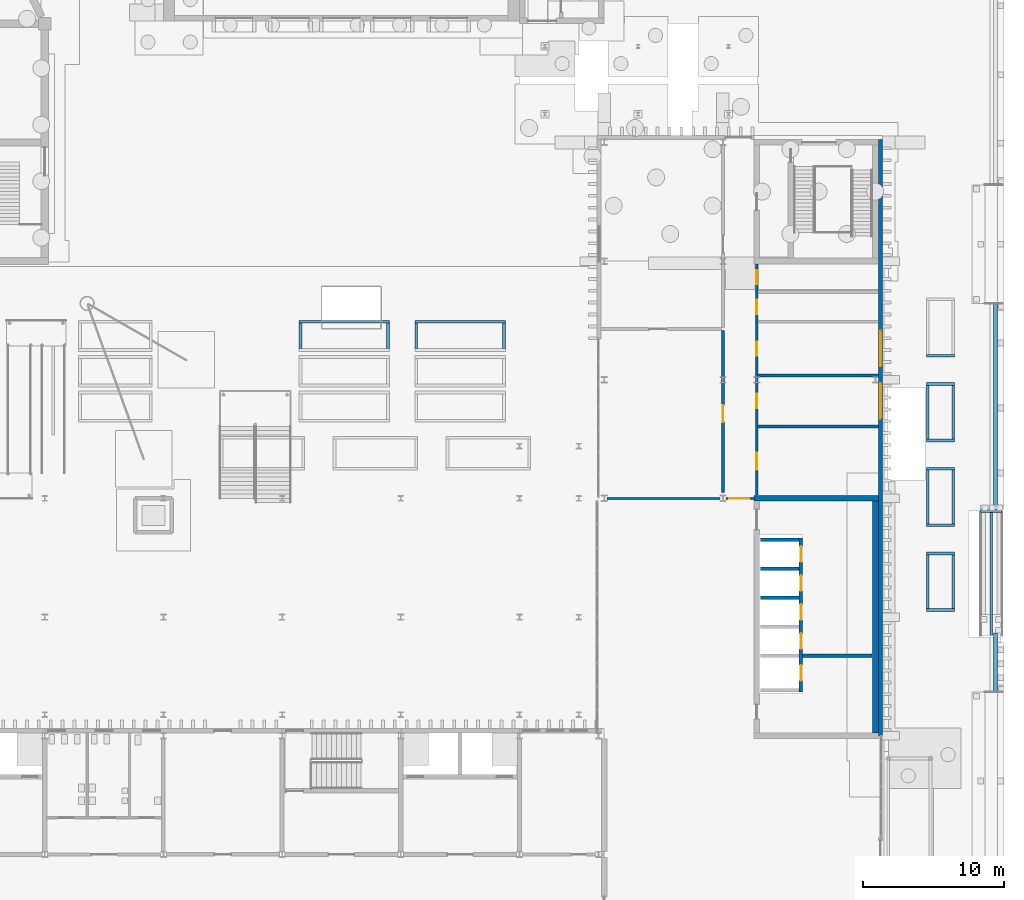
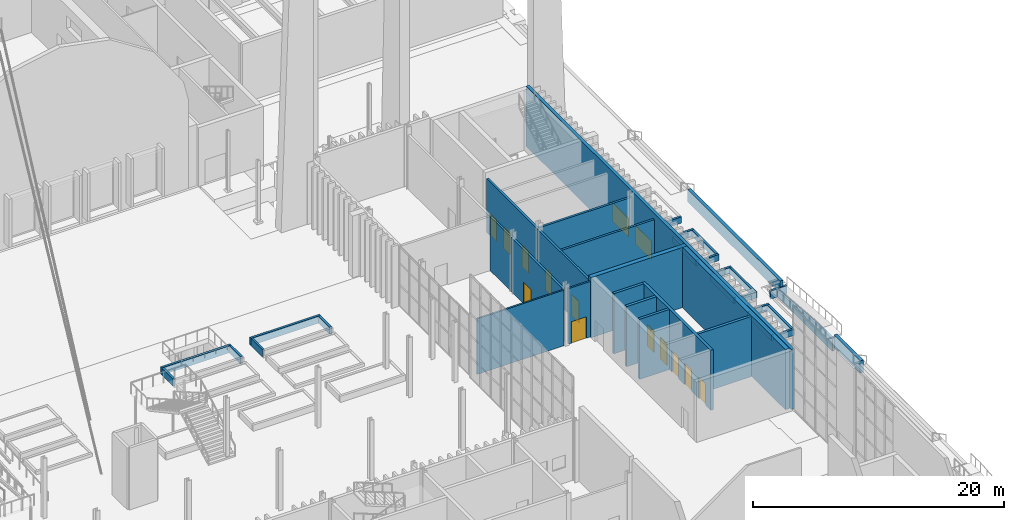
# One storey, part 72 of 108: 37 walls, 12 doors, 2 windows, 14 openings.
"""IFC4 building model written with IfcOpenShell, lengths in metres."""

from ifc_helpers import new_model, si_unit, direction, frame, frame_2d, origin, place, context, subcontext, project, spatial, polyline, rectangle, outline, extrude, material, layer, layer_set, type_object, element, fill, save


model = new_model("IFC4")

# Units and contexts
model_context = context("Model", 3, precision=1e-05, world=origin(), true_north=direction((0.0, 1.0)))
body_context = subcontext(model_context, "Body", "Model", "MODEL_VIEW")
ifc_project = project(units=[si_unit("LENGTHUNIT", "METRE"), si_unit("AREAUNIT", "SQUARE_METRE"), si_unit("VOLUMEUNIT", "CUBIC_METRE"), si_unit("PLANEANGLEUNIT", "RADIAN"), si_unit("MASSUNIT", "GRAM", prefix="KILO")], contexts=[model_context])

# Site, building, storey
site_placement = place(None, origin())
site = spatial("IfcSite", under=ifc_project, at=site_placement, CompositionType="ELEMENT")
building_placement = place(site_placement, origin())
building = spatial("IfcBuilding", under=site, at=building_placement, Name="Cresset Court Congress Hotel", CompositionType="ELEMENT")
storey_placement = place(building_placement, origin())
storey = spatial("IfcBuildingStorey", under=building, at=storey_placement, Name="L00", CompositionType="ELEMENT", Elevation=0.0)

# Walls
ifc_material_1 = material(Name="Concrete block wall", Category="concrete")
ifc_layer_1 = layer(ifc_material_1, 0.199951171875)
ifc_layer_set_1 = layer_set([ifc_layer_1], Name="Back-of-house wall 200")
wall_type_1 = type_object("IfcWallType", Name="Back-of-house wall 200", PredefinedType="PARTITIONING", material=ifc_layer_set_1)
for number, where, z_axis, x_axis, name in (
    (1, (168.10009765625, 47.10009765625, 0.0), (0.0, 0.0, 1.0), (1.0, 0.0, 0.0), "A.wl.L00.001"),
    (2, (168.10009765625, 50.699951171875, 0.0), (0.0, 0.0, 1.0), (1.0, 0.0, 0.0), "A.wl.L00.002"),
):
    element("IfcWall", number, at=place(storey_placement, frame(where, z_axis=z_axis, x_axis=x_axis)), inside=storey, type_object=wall_type_1, Name=name, PredefinedType="PARTITIONING", context=body_context, shape_type="SweptSolid", body=[
        extrude(rectangle(XDim=8.52001953125, YDim=0.199951171875, at=frame_2d((4.260009765625, 0.0))), origin(), (0.0, 0.0, 1.0), 5.25),
    ])

# Wall, opening, door
ifc_material_2 = material(Name="Gypsum board partition")
ifc_layer_2 = layer(ifc_material_2, 0.199951171875)
ifc_layer_set_2 = layer_set([ifc_layer_2], Name="Corridor wall 200")
wall_type_2 = type_object("IfcWallType", Name="Corridor wall 200", PredefinedType="PARTITIONING", material=ifc_layer_set_2)
wall_1_placement = place(storey_placement, frame((165.60009765625, 42.4140625, 0.0), z_axis=(0.0, 0.0, 1.0), x_axis=(0.0, 1.0, 0.0)))
wall_1 = element("IfcWall", 3, at=wall_1_placement, inside=storey, type_object=wall_type_2, Name="A.wl.L00.012", PredefinedType="PARTITIONING", context=body_context, shape_type="SweptSolid", body=[
    extrude(rectangle(XDim=11.48583984375, YDim=0.199951171875, at=frame_2d((5.742919921875, 0.0))), origin(), (0.0, 0.0, 1.0), 5.25),
])
opening_1_placement = place(wall_1_placement, frame((4.986083984375, 0.0, 0.0)))
opening_1 = element("IfcOpeningElement", 4, at=opening_1_placement, cuts=wall_1, Name="Opening DA-00-09", PredefinedType="OPENING", context=body_context, shape_type="SweptSolid", body=[
    extrude(rectangle(XDim=1.199951171875, YDim=2.10009765625, at=frame_2d((0.60009765625, 1.050048828125))), frame((0.0, 0.10986328125, 0.0), z_axis=(0.0, -1.0, 0.0), x_axis=(1.0, 0.0, 0.0)), (0.0, 0.0, 1.0), 0.219970703125),
])
ifc_material_3 = material(Name="timber", Category="wood")
door_type_1 = type_object("IfcDoorType", Name="Interior door 1200x2100", OperationType="SINGLE_SWING_LEFT", PredefinedType="DOOR", material=ifc_material_3)
door_1_placement = place(opening_1_placement, origin())
door_1 = element("IfcDoor", 5, at=door_1_placement, inside=storey, type_object=door_type_1, Name="Door DA-00-09", OperationType="SINGLE_SWING_LEFT", OverallHeight=2.10009765625, OverallWidth=1.199951171875, PredefinedType="DOOR", context=body_context, shape_type="SweptSolid", body=[
    extrude(rectangle(XDim=1.199951171875, YDim=2.10009765625, at=frame_2d((0.60009765625, 1.050048828125))), frame((0.0, 0.02490234375, 0.0), z_axis=(0.0, -1.0, 0.0), x_axis=(1.0, 0.0, 0.0)), (0.0, 0.0, 1.0), 0.050048828125),
])
fill(opening_1, door_1)

# Wall, openings, doors
wall_2_placement = place(storey_placement, frame((168.0, 42.25, 0.0), z_axis=(0.0, 0.0, 1.0), x_axis=(0.0, 1.0, 0.0)))
wall_2 = element("IfcWall", 6, at=wall_2_placement, inside=storey, type_object=wall_type_2, Name="A.wl.L00.014", PredefinedType="PARTITIONING", context=body_context, shape_type="SweptSolid", body=[
    extrude(rectangle(XDim=16.35009765625, YDim=0.199951171875, at=frame_2d((8.175048828125, 0.0))), origin(), (0.0, 0.0, 1.0), 5.25),
])
opening_2_placement = place(wall_2_placement, frame((1.77490234375, 0.0, 0.0)))
opening_2 = element("IfcOpeningElement", 7, at=opening_2_placement, cuts=wall_2, Name="Opening DA-00-01", PredefinedType="OPENING", context=body_context, shape_type="SweptSolid", body=[
    extrude(rectangle(XDim=1.199951171875, YDim=2.10009765625, at=frame_2d((0.60009765625, 1.050048828125))), frame((0.0, 0.10986328125, 0.0), z_axis=(0.0, -1.0, 0.0), x_axis=(1.0, 0.0, 0.0)), (0.0, 0.0, 1.0), 0.219970703125),
])
opening_3_placement = place(wall_2_placement, frame((6.14990234375, 0.0, 0.0)))
opening_3 = element("IfcOpeningElement", 8, at=opening_3_placement, cuts=wall_2, Name="Opening DA-00-02", PredefinedType="OPENING", context=body_context, shape_type="SweptSolid", body=[
    extrude(rectangle(XDim=1.0, YDim=2.10009765625, at=frame_2d((0.5, 1.050048828125))), frame((0.0, 0.10986328125, 0.0), z_axis=(0.0, -1.0, 0.0), x_axis=(1.0, 0.0, 0.0)), (0.0, 0.0, 1.0), 0.219970703125),
])
opening_4_placement = place(wall_2_placement, frame((9.85009765625, 0.0, 0.0)))
opening_4 = element("IfcOpeningElement", 9, at=opening_4_placement, cuts=wall_2, Name="Opening DA-00-03", PredefinedType="OPENING", context=body_context, shape_type="SweptSolid", body=[
    extrude(rectangle(XDim=1.0, YDim=2.10009765625, at=frame_2d((0.5, 1.050048828125))), frame((0.0, 0.10986328125, 0.0), z_axis=(0.0, -1.0, 0.0), x_axis=(1.0, 0.0, 0.0)), (0.0, 0.0, 1.0), 0.219970703125),
])
opening_5_placement = place(wall_2_placement, frame((12.800048828125, 0.0, 0.0)))
opening_5 = element("IfcOpeningElement", 10, at=opening_5_placement, cuts=wall_2, Name="Opening DA-00-04", PredefinedType="OPENING", context=body_context, shape_type="SweptSolid", body=[
    extrude(rectangle(XDim=1.0, YDim=2.10009765625, at=frame_2d((0.5, 1.050048828125))), frame((0.0, 0.10986328125, 0.0), z_axis=(0.0, -1.0, 0.0), x_axis=(1.0, 0.0, 0.0)), (0.0, 0.0, 1.0), 0.219970703125),
])
opening_6_placement = place(wall_2_placement, frame((14.89990234375, 0.0, 0.0)))
opening_6 = element("IfcOpeningElement", 11, at=opening_6_placement, cuts=wall_2, Name="Opening DA-00-05", PredefinedType="OPENING", context=body_context, shape_type="SweptSolid", body=[
    extrude(rectangle(XDim=1.0, YDim=2.10009765625, at=frame_2d((0.5, 1.050048828125))), frame((0.0, 0.10986328125, 0.0), z_axis=(0.0, -1.0, 0.0), x_axis=(1.0, 0.0, 0.0)), (0.0, 0.0, 1.0), 0.219970703125),
])
ifc_material_4 = material(Name="steel", Category="steel")
door_type_2 = type_object("IfcDoorType", Name="Back-of-house door 1000x2100 FD90", OperationType="SINGLE_SWING_LEFT", PredefinedType="DOOR", material=ifc_material_4)
door_2_placement = place(opening_3_placement, origin())
door_2 = element("IfcDoor", 12, at=door_2_placement, inside=storey, type_object=door_type_2, Name="Door DA-00-02", OperationType="SINGLE_SWING_LEFT", OverallHeight=2.10009765625, OverallWidth=1.0, PredefinedType="DOOR", context=body_context, shape_type="SweptSolid", body=[
    extrude(rectangle(XDim=1.0, YDim=2.10009765625, at=frame_2d((0.5, 1.050048828125))), frame((0.0, 0.02490234375, 0.0), z_axis=(0.0, -1.0, 0.0), x_axis=(1.0, 0.0, 0.0)), (0.0, 0.0, 1.0), 0.050048828125),
])
fill(opening_3, door_2)
door_3_placement = place(opening_4_placement, origin())
door_3 = element("IfcDoor", 13, at=door_3_placement, inside=storey, type_object=door_type_2, Name="Door DA-00-03", OperationType="SINGLE_SWING_RIGHT", OverallHeight=2.10009765625, OverallWidth=1.0, PredefinedType="DOOR", context=body_context, shape_type="SweptSolid", body=[
    extrude(rectangle(XDim=1.0, YDim=2.10009765625, at=frame_2d((0.5, 1.050048828125))), frame((0.0, 0.02490234375, 0.0), z_axis=(0.0, -1.0, 0.0), x_axis=(1.0, 0.0, 0.0)), (0.0, 0.0, 1.0), 0.050048828125),
])
fill(opening_4, door_3)
door_4_placement = place(opening_5_placement, origin())
door_4 = element("IfcDoor", 14, at=door_4_placement, inside=storey, type_object=door_type_2, Name="Door DA-00-04", OperationType="SINGLE_SWING_RIGHT", OverallHeight=2.10009765625, OverallWidth=1.0, PredefinedType="DOOR", context=body_context, shape_type="SweptSolid", body=[
    extrude(rectangle(XDim=1.0, YDim=2.10009765625, at=frame_2d((0.5, 1.050048828125))), frame((0.0, 0.02490234375, 0.0), z_axis=(0.0, -1.0, 0.0), x_axis=(1.0, 0.0, 0.0)), (0.0, 0.0, 1.0), 0.050048828125),
])
fill(opening_5, door_4)
door_5_placement = place(opening_6_placement, origin())
door_5 = element("IfcDoor", 15, at=door_5_placement, inside=storey, type_object=door_type_2, Name="Door DA-00-05", OperationType="SINGLE_SWING_RIGHT", OverallHeight=2.10009765625, OverallWidth=1.0, PredefinedType="DOOR", context=body_context, shape_type="SweptSolid", body=[
    extrude(rectangle(XDim=1.0, YDim=2.10009765625, at=frame_2d((0.5, 1.050048828125))), frame((0.0, 0.02490234375, 0.0), z_axis=(0.0, -1.0, 0.0), x_axis=(1.0, 0.0, 0.0)), (0.0, 0.0, 1.0), 0.050048828125),
])
fill(opening_6, door_5)
ifc_material_5 = material(Name="steel", Category="steel")
door_type_3 = type_object("IfcDoorType", Name="Back-of-house door 1200x2100 FD90", OperationType="SINGLE_SWING_LEFT", PredefinedType="DOOR", material=ifc_material_5)
door_6_placement = place(opening_2_placement, origin())
door_6 = element("IfcDoor", 16, at=door_6_placement, inside=storey, type_object=door_type_3, Name="Door DA-00-01", OperationType="SINGLE_SWING_RIGHT", OverallHeight=2.10009765625, OverallWidth=1.199951171875, PredefinedType="DOOR", context=body_context, shape_type="SweptSolid", body=[
    extrude(rectangle(XDim=1.199951171875, YDim=2.10009765625, at=frame_2d((0.60009765625, 1.050048828125))), frame((0.0, 0.02490234375, 0.0), z_axis=(0.0, -1.0, 0.0), x_axis=(1.0, 0.0, 0.0)), (0.0, 0.0, 1.0), 0.050048828125),
])
fill(opening_2, door_6)

# Wall, openings, windows
ifc_material_6 = material(Name="Precast concrete C50", Category="concrete")
ifc_layer_3 = layer(ifc_material_6, 0.280029296875)
ifc_layer_set_3 = layer_set([ifc_layer_3], Name="External wall 280")
wall_type_3 = type_object("IfcWallType", Name="External wall 280", PredefinedType="SOLIDWALL", material=ifc_layer_set_3)
wall_3_placement = place(storey_placement, frame((176.760009765625, 25.199951171875, 0.0), z_axis=(0.0, 0.0, 1.0), x_axis=(0.0, 1.0, 0.0)))
wall_3 = element("IfcWall", 17, at=wall_3_placement, inside=storey, type_object=wall_type_3, Name="A.ew.L00.E.3", PredefinedType="SOLIDWALL", context=body_context, shape_type="SweptSolid", body=[
    extrude(rectangle(XDim=42.219970703125, YDim=0.280029296875, at=frame_2d((21.10986328125, 0.0))), origin(), (0.0, 0.0, 1.0), 5.85009765625),
])
opening_7_placement = place(wall_3_placement, frame((22.43994140625, 0.0, 0.89990234375)))
opening_7 = element("IfcOpeningElement", 18, at=opening_7_placement, cuts=wall_3, Name="Opening NA-00-02", PredefinedType="OPENING", context=body_context, shape_type="SweptSolid", body=[
    extrude(rectangle(XDim=2.52001953125, YDim=1.800048828125, at=frame_2d((1.260009765625, 0.89990234375))), frame((0.0, 0.14990234375, 0.0), z_axis=(0.0, -1.0, 0.0), x_axis=(1.0, 0.0, 0.0)), (0.0, 0.0, 1.0), 0.300048828125),
])
opening_8_placement = place(wall_3_placement, frame((26.139892578125, 0.0, 0.89990234375)))
opening_8 = element("IfcOpeningElement", 19, at=opening_8_placement, cuts=wall_3, Name="Opening NA-00-03", PredefinedType="OPENING", context=body_context, shape_type="SweptSolid", body=[
    extrude(rectangle(XDim=2.52001953125, YDim=1.800048828125, at=frame_2d((1.260009765625, 0.89990234375))), frame((0.0, 0.14990234375, 0.0), z_axis=(0.0, -1.0, 0.0), x_axis=(1.0, 0.0, 0.0)), (0.0, 0.0, 1.0), 0.300048828125),
])
ifc_material_7 = material(Name="Aluminium and glass", Category="aluminium")
window_type = type_object("IfcWindowType", Name="Window 2520x1800", PartitioningType="SINGLE_PANEL", PredefinedType="WINDOW", material=ifc_material_7)
window_1_placement = place(opening_7_placement, origin())
window_1 = element("IfcWindow", 20, at=window_1_placement, inside=storey, type_object=window_type, Name="Window NA-00-02", OverallHeight=1.800048828125, OverallWidth=2.52001953125, PartitioningType="SINGLE_PANEL", PredefinedType="WINDOW", context=body_context, shape_type="SweptSolid", body=[
    extrude(rectangle(XDim=2.52001953125, YDim=1.800048828125, at=frame_2d((1.260009765625, 0.89990234375))), frame((0.0, 0.030029296875, 0.0), z_axis=(0.0, -1.0, 0.0), x_axis=(1.0, 0.0, 0.0)), (0.0, 0.0, 1.0), 0.06005859375),
])
fill(opening_7, window_1)
window_2_placement = place(opening_8_placement, origin())
window_2 = element("IfcWindow", 21, at=window_2_placement, inside=storey, type_object=window_type, Name="Window NA-00-03", OverallHeight=1.800048828125, OverallWidth=2.52001953125, PartitioningType="SINGLE_PANEL", PredefinedType="WINDOW", context=body_context, shape_type="SweptSolid", body=[
    extrude(rectangle(XDim=2.52001953125, YDim=1.800048828125, at=frame_2d((1.260009765625, 0.89990234375))), frame((0.0, 0.030029296875, 0.0), z_axis=(0.0, -1.0, 0.0), x_axis=(1.0, 0.0, 0.0)), (0.0, 0.0, 1.0), 0.06005859375),
])
fill(opening_8, window_2)

# Wall
ifc_material_8 = material(Name="Gypsum board partition")
ifc_layer_4 = layer(ifc_material_8, 0.14990234375)
ifc_layer_set_4 = layer_set([ifc_layer_4], Name="Guest-room partition 150")
wall_type_4 = type_object("IfcWallType", Name="Guest-room partition 150", PredefinedType="PARTITIONING", material=ifc_layer_set_4)
wall_4_placement = place(storey_placement, frame((157.403564453125, 42.0, 0.0), z_axis=(0.0, 0.0, 1.0), x_axis=(1.0, 0.0, 0.0)))
element("IfcWall", 22, at=wall_4_placement, inside=storey, type_object=wall_type_4, Name="A.wl.L00.009", PredefinedType="PARTITIONING", context=body_context, shape_type="SweptSolid", body=[
    extrude(rectangle(XDim=7.992919921875, YDim=0.14990234375, at=frame_2d((3.99658203125, 0.0))), origin(), (0.0, 0.0, 1.0), 5.404052734375),
])

# Wall, opening, door
wall_5_placement = place(storey_placement, frame((165.803466796875, 42.0, 0.0), z_axis=(0.0, 0.0, 1.0), x_axis=(1.0, 0.0, 0.0)))
wall_5 = element("IfcWall", 23, at=wall_5_placement, inside=storey, type_object=wall_type_4, Name="A.wl.L00.010", PredefinedType="PARTITIONING", context=body_context, shape_type="SweptSolid", body=[
    extrude(rectangle(XDim=1.99658203125, YDim=0.14990234375, at=frame_2d((0.998291015625, 0.0))), origin(), (0.0, 0.0, 1.0), 5.404052734375),
])
opening_9_placement = place(wall_5_placement, frame((0.24658203125, 0.0, 0.0)))
opening_9 = element("IfcOpeningElement", 24, at=opening_9_placement, cuts=wall_5, Name="Opening DA-00-07", PredefinedType="OPENING", context=body_context, shape_type="SweptSolid", body=[
    extrude(rectangle(XDim=1.39990234375, YDim=2.10009765625, at=frame_2d((0.699951171875, 1.050048828125))), frame((0.0, 0.0849609375, 0.0), z_axis=(0.0, -1.0, 0.0), x_axis=(1.0, 0.0, 0.0)), (0.0, 0.0, 1.0), 0.169921875),
])
ifc_material_9 = material(Name="steel", Category="steel")
door_type_4 = type_object("IfcDoorType", Name="Lobby door 1400x2100 FD90", OperationType="DOUBLE_DOOR_DOUBLE_SWING", PredefinedType="DOOR", material=ifc_material_9)
door_7_placement = place(opening_9_placement, origin())
door_7 = element("IfcDoor", 25, at=door_7_placement, inside=storey, type_object=door_type_4, Name="Door DA-00-07", OperationType="DOUBLE_DOOR_DOUBLE_SWING", OverallHeight=2.10009765625, OverallWidth=1.39990234375, PredefinedType="DOOR", context=body_context, shape_type="SweptSolid", body=[
    extrude(rectangle(XDim=1.39990234375, YDim=2.10009765625, at=frame_2d((0.699951171875, 1.050048828125))), frame((0.0, 0.02490234375, 0.0), z_axis=(0.0, -1.0, 0.0), x_axis=(1.0, 0.0, 0.0)), (0.0, 0.0, 1.0), 0.050048828125),
])
fill(opening_9, door_7)

# Walls
ifc_material_10 = material(Name="Concrete C50", Category="concrete")
ifc_layer_5 = layer(ifc_material_10, 0.39990234375)
ifc_layer_set_5 = layer_set([ifc_layer_5], Name="Lift core wall 400")
wall_type_5 = type_object("IfcWallType", Name="Lift core wall 400", PredefinedType="SOLIDWALL", material=ifc_layer_set_5)
wall_6_placement = place(storey_placement, frame((167.800048828125, 42.0, 0.0), z_axis=(0.0, 0.0, 1.0), x_axis=(1.0, 0.0, 0.0)))
element("IfcWall", 26, at=wall_6_placement, inside=storey, type_object=wall_type_5, Name="A.cw.LC-A.L00.N", PredefinedType="SOLIDWALL", context=body_context, shape_type="SweptSolid", body=[
    extrude(rectangle(XDim=8.800048828125, YDim=0.39990234375, at=frame_2d((4.39990234375, 0.0))), origin(), (0.0, 0.0, 1.0), 5.85009765625),
])
wall_7_placement = place(storey_placement, frame((176.39990234375, 25.39990234375, 0.0), z_axis=(0.0, 0.0, 1.0), x_axis=(0.0, 1.0, 0.0)))
element("IfcWall", 27, at=wall_7_placement, inside=storey, type_object=wall_type_5, Name="A.cw.LC-A.L00.E", PredefinedType="SOLIDWALL", context=body_context, shape_type="SweptSolid", body=[
    extrude(rectangle(XDim=16.400146484375, YDim=0.39990234375, at=frame_2d((8.2001953125, 0.0))), origin(), (0.0, 0.0, 1.0), 5.85009765625),
])

# Wall, openings, doors
ifc_material_11 = material(Name="Concrete C50", Category="concrete")
ifc_layer_6 = layer(ifc_material_11, 0.25)
ifc_layer_set_6 = layer_set([ifc_layer_6], Name="Lift shaft wall 250")
wall_type_6 = type_object("IfcWallType", Name="Lift shaft wall 250", PredefinedType="SOLIDWALL", material=ifc_layer_set_6)
wall_8_placement = place(storey_placement, frame((171.125, 28.300048828125, 0.0), z_axis=(0.0, 0.0, 1.0), x_axis=(0.0, 1.0, 0.0)))
wall_8 = element("IfcWall", 28, at=wall_8_placement, inside=storey, type_object=wall_type_6, Name="A.wl.L00.017", PredefinedType="SOLIDWALL", context=body_context, shape_type="SweptSolid", body=[
    extrude(rectangle(XDim=10.89990234375, YDim=0.25, at=frame_2d((5.449951171875, 0.0))), origin(), (0.0, 0.0, 1.0), 5.85009765625),
])
opening_10_placement = place(wall_8_placement, frame((0.800048828125, 0.0, 0.0)))
opening_10 = element("IfcOpeningElement", 29, at=opening_10_placement, cuts=wall_8, Name="Opening LD-A1-00", PredefinedType="OPENING", context=body_context, shape_type="SweptSolid", body=[
    extrude(rectangle(XDim=1.10009765625, YDim=2.10009765625, at=frame_2d((0.550048828125, 1.050048828125))), frame((0.0, 0.135009765625, 0.0), z_axis=(0.0, -1.0, 0.0), x_axis=(1.0, 0.0, 0.0)), (0.0, 0.0, 1.0), 0.27001953125),
])
opening_11_placement = place(wall_8_placement, frame((3.050048828125, 0.0, 0.0)))
opening_11 = element("IfcOpeningElement", 30, at=opening_11_placement, cuts=wall_8, Name="Opening LD-A2-00", PredefinedType="OPENING", context=body_context, shape_type="SweptSolid", body=[
    extrude(rectangle(XDim=1.10009765625, YDim=2.10009765625, at=frame_2d((0.550048828125, 1.050048828125))), frame((0.0, 0.135009765625, 0.0), z_axis=(0.0, -1.0, 0.0), x_axis=(1.0, 0.0, 0.0)), (0.0, 0.0, 1.0), 0.27001953125),
])
opening_12_placement = place(wall_8_placement, frame((5.10009765625, 0.0, 0.0)))
opening_12 = element("IfcOpeningElement", 31, at=opening_12_placement, cuts=wall_8, Name="Opening LD-A3-00", PredefinedType="OPENING", context=body_context, shape_type="SweptSolid", body=[
    extrude(rectangle(XDim=1.10009765625, YDim=2.10009765625, at=frame_2d((0.550048828125, 1.050048828125))), frame((0.0, 0.135009765625, 0.0), z_axis=(0.0, -1.0, 0.0), x_axis=(1.0, 0.0, 0.0)), (0.0, 0.0, 1.0), 0.27001953125),
])
opening_13_placement = place(wall_8_placement, frame((7.14990234375, 0.0, 0.0)))
opening_13 = element("IfcOpeningElement", 32, at=opening_13_placement, cuts=wall_8, Name="Opening LD-A4-00", PredefinedType="OPENING", context=body_context, shape_type="SweptSolid", body=[
    extrude(rectangle(XDim=1.10009765625, YDim=2.10009765625, at=frame_2d((0.550048828125, 1.050048828125))), frame((0.0, 0.135009765625, 0.0), z_axis=(0.0, -1.0, 0.0), x_axis=(1.0, 0.0, 0.0)), (0.0, 0.0, 1.0), 0.27001953125),
])
opening_14_placement = place(wall_8_placement, frame((9.199951171875, 0.0, 0.0)))
opening_14 = element("IfcOpeningElement", 33, at=opening_14_placement, cuts=wall_8, Name="Opening LD-A5-00", PredefinedType="OPENING", context=body_context, shape_type="SweptSolid", body=[
    extrude(rectangle(XDim=1.10009765625, YDim=2.10009765625, at=frame_2d((0.550048828125, 1.050048828125))), frame((0.0, 0.135009765625, 0.0), z_axis=(0.0, -1.0, 0.0), x_axis=(1.0, 0.0, 0.0)), (0.0, 0.0, 1.0), 0.27001953125),
])
ifc_material_12 = material(Name="stainless steel", Category="steel")
door_type_5 = type_object("IfcDoorType", Name="Lift landing door 1100x2100 E 60", OperationType="SLIDING_TO_LEFT", PredefinedType="DOOR", material=ifc_material_12)
door_8_placement = place(opening_10_placement, origin())
door_8 = element("IfcDoor", 34, at=door_8_placement, inside=storey, type_object=door_type_5, Name="Lift landing door LD-A1-00", OperationType="SLIDING_TO_LEFT", OverallHeight=2.10009765625, OverallWidth=1.10009765625, PredefinedType="DOOR", context=body_context, shape_type="SweptSolid", body=[
    extrude(rectangle(XDim=1.10009765625, YDim=2.10009765625, at=frame_2d((0.550048828125, 1.050048828125))), frame((0.0, 0.02490234375, 0.0), z_axis=(0.0, -1.0, 0.0), x_axis=(1.0, 0.0, 0.0)), (0.0, 0.0, 1.0), 0.050048828125),
])
fill(opening_10, door_8)
door_9_placement = place(opening_11_placement, origin())
door_9 = element("IfcDoor", 35, at=door_9_placement, inside=storey, type_object=door_type_5, Name="Lift landing door LD-A2-00", OperationType="SLIDING_TO_LEFT", OverallHeight=2.10009765625, OverallWidth=1.10009765625, PredefinedType="DOOR", context=body_context, shape_type="SweptSolid", body=[
    extrude(rectangle(XDim=1.10009765625, YDim=2.10009765625, at=frame_2d((0.550048828125, 1.050048828125))), frame((0.0, 0.02490234375, 0.0), z_axis=(0.0, -1.0, 0.0), x_axis=(1.0, 0.0, 0.0)), (0.0, 0.0, 1.0), 0.050048828125),
])
fill(opening_11, door_9)
door_10_placement = place(opening_12_placement, origin())
door_10 = element("IfcDoor", 36, at=door_10_placement, inside=storey, type_object=door_type_5, Name="Lift landing door LD-A3-00", OperationType="SLIDING_TO_LEFT", OverallHeight=2.10009765625, OverallWidth=1.10009765625, PredefinedType="DOOR", context=body_context, shape_type="SweptSolid", body=[
    extrude(rectangle(XDim=1.10009765625, YDim=2.10009765625, at=frame_2d((0.550048828125, 1.050048828125))), frame((0.0, 0.02490234375, 0.0), z_axis=(0.0, -1.0, 0.0), x_axis=(1.0, 0.0, 0.0)), (0.0, 0.0, 1.0), 0.050048828125),
])
fill(opening_12, door_10)
door_11_placement = place(opening_13_placement, origin())
door_11 = element("IfcDoor", 37, at=door_11_placement, inside=storey, type_object=door_type_5, Name="Lift landing door LD-A4-00", OperationType="SLIDING_TO_LEFT", OverallHeight=2.10009765625, OverallWidth=1.10009765625, PredefinedType="DOOR", context=body_context, shape_type="SweptSolid", body=[
    extrude(rectangle(XDim=1.10009765625, YDim=2.10009765625, at=frame_2d((0.550048828125, 1.050048828125))), frame((0.0, 0.02490234375, 0.0), z_axis=(0.0, -1.0, 0.0), x_axis=(1.0, 0.0, 0.0)), (0.0, 0.0, 1.0), 0.050048828125),
])
fill(opening_13, door_11)
door_12_placement = place(opening_14_placement, origin())
door_12 = element("IfcDoor", 38, at=door_12_placement, inside=storey, type_object=door_type_5, Name="Lift landing door LD-A5-00", OperationType="SLIDING_TO_LEFT", OverallHeight=2.10009765625, OverallWidth=1.10009765625, PredefinedType="DOOR", context=body_context, shape_type="SweptSolid", body=[
    extrude(rectangle(XDim=1.10009765625, YDim=2.10009765625, at=frame_2d((0.550048828125, 1.050048828125))), frame((0.0, 0.02490234375, 0.0), z_axis=(0.0, -1.0, 0.0), x_axis=(1.0, 0.0, 0.0)), (0.0, 0.0, 1.0), 0.050048828125),
])
fill(opening_14, door_12)

# Walls
for number, where, z_axis, x_axis, name in (
    (39, (168.25, 34.97509765625, 0.0), (0.0, 0.0, 1.0), (1.0, 0.0, 0.0), "A.wl.L00.021"),
    (40, (168.25, 37.02490234375, 0.0), (0.0, 0.0, 1.0), (1.0, 0.0, 0.0), "A.wl.L00.022"),
    (41, (168.25, 39.074951171875, 0.0), (0.0, 0.0, 1.0), (1.0, 0.0, 0.0), "A.wl.L00.023"),
):
    element("IfcWall", number, at=place(storey_placement, frame(where, z_axis=z_axis, x_axis=x_axis)), inside=storey, type_object=wall_type_6, Name=name, PredefinedType="SOLIDWALL", context=body_context, shape_type="SweptSolid", body=[
        extrude(rectangle(XDim=2.75, YDim=0.25, at=frame_2d((1.375, 0.0))), origin(), (0.0, 0.0, 1.0), 5.85009765625),
    ])
wall_9_placement = place(storey_placement, frame((171.25, 30.875, 0.0), z_axis=(0.0, 0.0, 1.0), x_axis=(1.0, 0.0, 0.0)))
element("IfcWall", 42, at=wall_9_placement, inside=storey, type_object=wall_type_6, Name="A.wl.L00.024", PredefinedType="SOLIDWALL", context=body_context, shape_type="SweptSolid", body=[
    extrude(rectangle(XDim=4.89990234375, YDim=0.25, at=frame_2d((2.449951171875, 0.0))), origin(), (0.0, 0.0, 1.0), 5.85009765625),
])
ifc_material_13 = material(Name="Concrete C35", Category="concrete")
ifc_layer_7 = layer(ifc_material_13, 0.199951171875)
ifc_layer_set_7 = layer_set([ifc_layer_7], Name="Planter wall 200")
wall_type_7 = type_object("IfcWallType", Name="Planter wall 200", PredefinedType="SOLIDWALL", material=ifc_layer_set_7)
wall_10_placement = place(storey_placement, frame((135.60009765625, 54.5, 0.0), z_axis=(0.0, 0.0, 1.0), x_axis=(1.0, 0.0, 0.0)))
element("IfcWall", 43, at=wall_10_placement, inside=storey, type_object=wall_type_7, Name="Terrace planter wall 15", PredefinedType="SOLIDWALL", context=body_context, shape_type="SweptSolid", body=[
    extrude(rectangle(XDim=6.39990234375, YDim=0.199951171875, at=frame_2d((3.199951171875, 0.0))), origin(), (0.0, 0.0, 1.0), 0.699951171875),
])
for number, where, z_axis, x_axis, name in (
    (44, (135.699951171875, 52.60009765625, 0.0), (0.0, 0.0, 1.0), (0.0, 1.0, 0.0), "Terrace planter wall 15"),
    (45, (141.89990234375, 52.60009765625, 0.0), (0.0, 0.0, 1.0), (0.0, 1.0, 0.0), "Terrace planter wall 15"),
):
    element("IfcWall", number, at=place(storey_placement, frame(where, z_axis=z_axis, x_axis=x_axis)), inside=storey, type_object=wall_type_7, Name=name, PredefinedType="SOLIDWALL", context=body_context, shape_type="SweptSolid", body=[
        extrude(rectangle(XDim=1.7998046875, YDim=0.199951171875, at=frame_2d((0.89990234375, 0.0))), origin(), (0.0, 0.0, 1.0), 0.699951171875),
    ])
wall_11_placement = place(storey_placement, frame((143.800048828125, 54.5, 0.0), z_axis=(0.0, 0.0, 1.0), x_axis=(1.0, 0.0, 0.0)))
element("IfcWall", 46, at=wall_11_placement, inside=storey, type_object=wall_type_7, Name="Terrace planter wall 18", PredefinedType="SOLIDWALL", context=body_context, shape_type="SweptSolid", body=[
    extrude(rectangle(XDim=6.39990234375, YDim=0.199951171875, at=frame_2d((3.199951171875, 0.0))), origin(), (0.0, 0.0, 1.0), 0.699951171875),
])
for number, where, z_axis, x_axis, name in (
    (47, (143.89990234375, 52.60009765625, 0.0), (0.0, 0.0, 1.0), (0.0, 1.0, 0.0), "Terrace planter wall 18"),
    (48, (150.10009765625, 52.60009765625, 0.0), (0.0, 0.0, 1.0), (0.0, 1.0, 0.0), "Terrace planter wall 18"),
):
    element("IfcWall", number, at=place(storey_placement, frame(where, z_axis=z_axis, x_axis=x_axis)), inside=storey, type_object=wall_type_7, Name=name, PredefinedType="SOLIDWALL", context=body_context, shape_type="SweptSolid", body=[
        extrude(rectangle(XDim=1.7998046875, YDim=0.199951171875, at=frame_2d((0.89990234375, 0.0))), origin(), (0.0, 0.0, 1.0), 0.699951171875),
    ])
for number, where, z_axis, x_axis, name in (
    (49, (180.0, 34.10009765625, 0.0), (0.0, 0.0, 1.0), (1.0, 0.0, 0.0), "S.planter.L00.09.S"),
    (50, (180.0, 38.10009765625, 0.0), (0.0, 0.0, 1.0), (1.0, 0.0, 0.0), "S.planter.L00.09.N"),
):
    element("IfcWall", number, at=place(storey_placement, frame(where, z_axis=z_axis, x_axis=x_axis)), inside=storey, type_object=wall_type_7, Name=name, PredefinedType="SOLIDWALL", context=body_context, shape_type="SweptSolid", body=[
        extrude(rectangle(XDim=2.0, YDim=0.199951171875, at=frame_2d((1.0, 0.0))), origin(), (0.0, 0.0, 1.0), 0.60009765625),
    ])
for number, where, z_axis, x_axis, name in (
    (51, (180.10009765625, 34.199951171875, 0.0), (0.0, 0.0, 1.0), (0.0, 1.0, 0.0), "S.planter.L00.09.W"),
    (52, (181.89990234375, 34.199951171875, 0.0), (0.0, 0.0, 1.0), (0.0, 1.0, 0.0), "S.planter.L00.09.E"),
):
    element("IfcWall", number, at=place(storey_placement, frame(where, z_axis=z_axis, x_axis=x_axis)), inside=storey, type_object=wall_type_7, Name=name, PredefinedType="SOLIDWALL", context=body_context, shape_type="SweptSolid", body=[
        extrude(rectangle(XDim=3.800048828125, YDim=0.199951171875, at=frame_2d((1.89990234375, 0.0))), origin(), (0.0, 0.0, 1.0), 0.60009765625),
    ])
for number, where, z_axis, x_axis, name in (
    (53, (180.0, 40.10009765625, 0.0), (0.0, 0.0, 1.0), (1.0, 0.0, 0.0), "S.planter.L00.10.S"),
    (54, (180.0, 44.10009765625, 0.0), (0.0, 0.0, 1.0), (1.0, 0.0, 0.0), "S.planter.L00.10.N"),
):
    element("IfcWall", number, at=place(storey_placement, frame(where, z_axis=z_axis, x_axis=x_axis)), inside=storey, type_object=wall_type_7, Name=name, PredefinedType="SOLIDWALL", context=body_context, shape_type="SweptSolid", body=[
        extrude(rectangle(XDim=2.0, YDim=0.199951171875, at=frame_2d((1.0, 0.0))), origin(), (0.0, 0.0, 1.0), 0.60009765625),
    ])
for number, where, z_axis, x_axis, name in (
    (55, (180.10009765625, 40.199951171875, 0.0), (0.0, 0.0, 1.0), (0.0, 1.0, 0.0), "S.planter.L00.10.W"),
    (56, (181.89990234375, 40.199951171875, 0.0), (0.0, 0.0, 1.0), (0.0, 1.0, 0.0), "S.planter.L00.10.E"),
):
    element("IfcWall", number, at=place(storey_placement, frame(where, z_axis=z_axis, x_axis=x_axis)), inside=storey, type_object=wall_type_7, Name=name, PredefinedType="SOLIDWALL", context=body_context, shape_type="SweptSolid", body=[
        extrude(rectangle(XDim=3.800048828125, YDim=0.199951171875, at=frame_2d((1.89990234375, 0.0))), origin(), (0.0, 0.0, 1.0), 0.60009765625),
    ])
for number, where, z_axis, x_axis, name in (
    (57, (180.0, 46.10009765625, 0.0), (0.0, 0.0, 1.0), (1.0, 0.0, 0.0), "S.planter.L00.11.S"),
    (58, (180.0, 50.10009765625, 0.0), (0.0, 0.0, 1.0), (1.0, 0.0, 0.0), "S.planter.L00.11.N"),
):
    element("IfcWall", number, at=place(storey_placement, frame(where, z_axis=z_axis, x_axis=x_axis)), inside=storey, type_object=wall_type_7, Name=name, PredefinedType="SOLIDWALL", context=body_context, shape_type="SweptSolid", body=[
        extrude(rectangle(XDim=2.0, YDim=0.199951171875, at=frame_2d((1.0, 0.0))), origin(), (0.0, 0.0, 1.0), 0.60009765625),
    ])
for number, where, z_axis, x_axis, name in (
    (59, (180.10009765625, 46.199951171875, 0.0), (0.0, 0.0, 1.0), (0.0, 1.0, 0.0), "S.planter.L00.11.W"),
    (60, (181.89990234375, 46.199951171875, 0.0), (0.0, 0.0, 1.0), (0.0, 1.0, 0.0), "S.planter.L00.11.E"),
):
    element("IfcWall", number, at=place(storey_placement, frame(where, z_axis=z_axis, x_axis=x_axis)), inside=storey, type_object=wall_type_7, Name=name, PredefinedType="SOLIDWALL", context=body_context, shape_type="SweptSolid", body=[
        extrude(rectangle(XDim=3.800048828125, YDim=0.199951171875, at=frame_2d((1.89990234375, 0.0))), origin(), (0.0, 0.0, 1.0), 0.60009765625),
    ])
wall_12_placement = place(storey_placement, frame((180.0, 52.10009765625, 0.0), z_axis=(0.0, 0.0, 1.0), x_axis=(1.0, 0.0, 0.0)))
element("IfcWall", 61, at=wall_12_placement, inside=storey, type_object=wall_type_7, Name="S.planter.L00.12.S", PredefinedType="SOLIDWALL", context=body_context, shape_type="SweptSolid", body=[
    extrude(rectangle(XDim=2.0, YDim=0.199951171875, at=frame_2d((1.0, 0.0))), origin(), (0.0, 0.0, 1.0), 0.60009765625),
])
ifc_material_14 = material(Name="Concrete C35", Category="concrete")
ifc_layer_8 = layer(ifc_material_14, 0.300048828125)
ifc_layer_set_8 = layer_set([ifc_layer_8], Name="Plinth wall 300")
wall_type_8 = type_object("IfcWallType", Name="Plinth wall 300", PredefinedType="SOLIDWALL", material=ifc_layer_set_8)
wall_13_placement = place(storey_placement, frame((184.89990234375, 28.300048828125, -1.199951171875), z_axis=(0.0, 0.0, 1.0), x_axis=(0.0, 1.0, 0.0)))
element("IfcWall", 62, at=wall_13_placement, inside=storey, type_object=wall_type_8, Name="S.wall.L00.PE03", PredefinedType="SOLIDWALL", context=body_context, shape_type="SweptSolid", body=[
    extrude(rectangle(XDim=4.179931640625, YDim=0.300048828125, at=frame_2d((2.08984375, 0.0))), origin(), (0.0, 0.0, 1.0), 1.199951171875),
])
wall_14_placement = place(storey_placement, frame((184.89990234375, 41.10009765625, -1.199951171875), z_axis=(0.0, 0.0, 1.0), x_axis=(0.0, 1.0, 0.0)))
element("IfcWall", 63, at=wall_14_placement, inside=storey, type_object=wall_type_8, Name="S.wall.L00.PE04", PredefinedType="SOLIDWALL", context=body_context, shape_type="SweptSolid", body=[
    extrude(rectangle(XDim=14.699951171875, YDim=0.300048828125, at=frame_2d((7.35009765625, 0.0))), origin(), (0.0, 0.0, 1.0), 1.199951171875),
])
ifc_material_15 = material(Name="Concrete C35", Category="concrete")
ifc_layer_9 = layer(ifc_material_15, 0.199951171875)
ifc_layer_set_9 = layer_set([ifc_layer_9], Name="Ramp cheek wall 200")
wall_type_9 = type_object("IfcWallType", Name="Ramp cheek wall 200", PredefinedType="SOLIDWALL", material=ifc_layer_set_9)
wall_15_placement = place(storey_placement, frame((184.60009765625, 41.0, -1.39990234375), z_axis=(0.0, 0.0, 1.0), x_axis=(0.0, -1.0, 0.0)))
element("IfcWall", 64, at=wall_15_placement, inside=storey, type_object=wall_type_9, Name="S.ramp.L00.E02.W1", PredefinedType="SOLIDWALL", context=body_context, shape_type="SweptSolid", body=[
    extrude(outline(polyline([(0.0, 0.0), (8.699951171875, 0.0), (8.699951171875, 1.199951171875), (7.199951171875, 1.199951171875), (0.0, 0.599853515625), (0.0, 0.0)])), frame((0.0, 0.10009765625, 0.0), z_axis=(0.0, -1.0, 0.0), x_axis=(1.0, 0.0, 0.0)), (0.0, 0.0, 1.0), 0.199951171875),
])
wall_16_placement = place(storey_placement, frame((185.35009765625, 41.099609375, -1.39990234375), z_axis=(0.0, 0.0, 1.0), x_axis=(-1.0, 0.0, 0.0)))
element("IfcWall", 65, at=wall_16_placement, inside=storey, type_object=wall_type_9, Name="Ramp toe wall E02", PredefinedType="SOLIDWALL", context=body_context, shape_type="SweptSolid", body=[
    extrude(rectangle(XDim=1.5, YDim=0.199951171875, at=frame_2d((0.75, 0.0))), origin(), (0.0, 0.0, 1.0), 0.7998046875),
])

save(model, "model.ifc")
